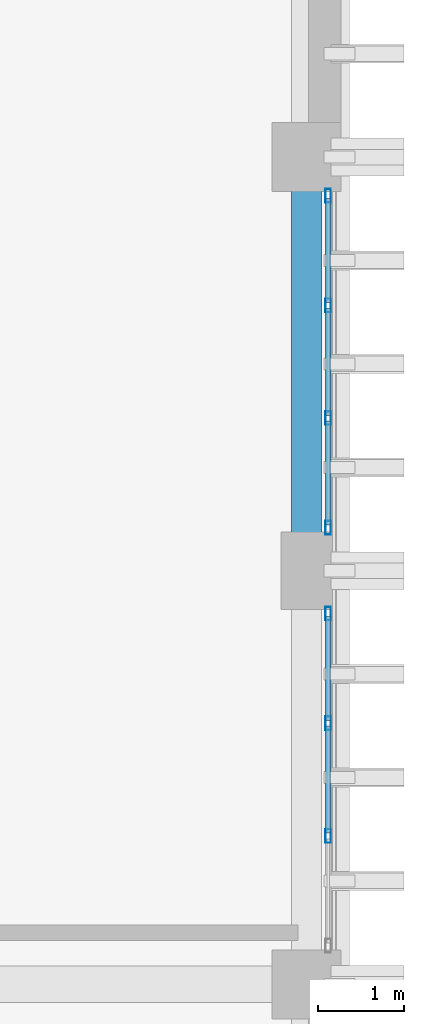
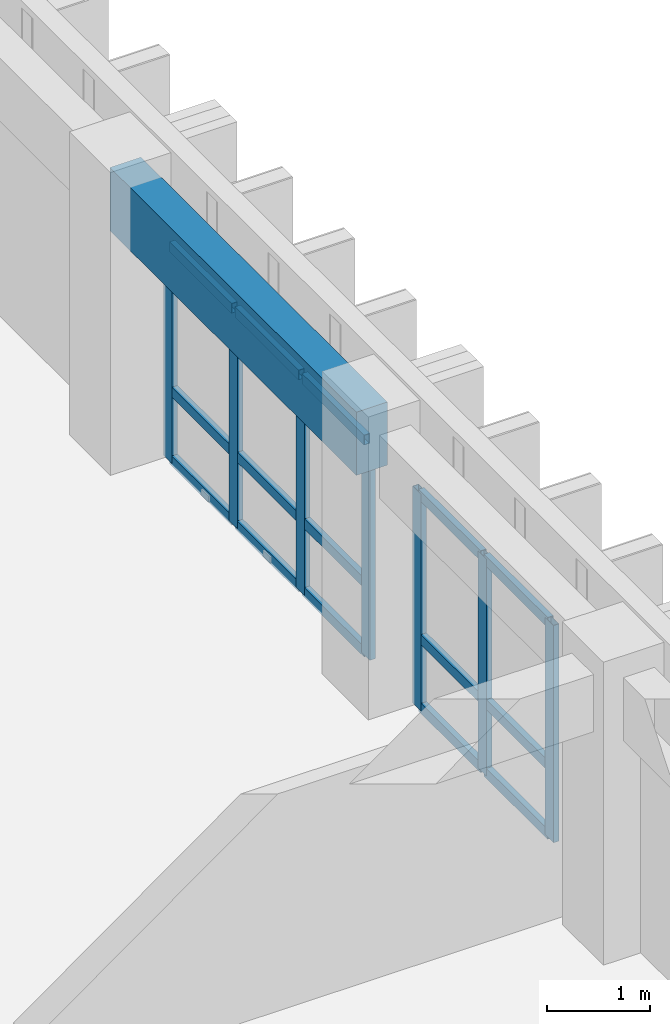
# One storey, part 19 of 82: 22 members, 1 beam, 2 elements without a shape of their own.
"""IFC4 building model written with IfcOpenShell, lengths in metres."""

from ifc_helpers import new_model, si_unit, direction, frame, origin, origin_2d, place, context, subcontext, project, spatial, rectangle, hollow_rectangle, extrude, material, layer, layer_set, material_profile, profile_set, type_object, element, aggregate, save


model = new_model("IFC4")

# Units and contexts
model_context = context("Model", 3, precision=1e-05, world=origin(), true_north=direction((0.0, 1.0)))
body_context = subcontext(model_context, "Body", "Model", "MODEL_VIEW")
ifc_project = project(units=[si_unit("LENGTHUNIT", "METRE"), si_unit("AREAUNIT", "SQUARE_METRE"), si_unit("VOLUMEUNIT", "CUBIC_METRE"), si_unit("PLANEANGLEUNIT", "RADIAN"), si_unit("MASSUNIT", "GRAM", prefix="KILO")], contexts=[model_context])

# Site, building, storey
site_placement = place(None, origin())
site = spatial("IfcSite", under=ifc_project, at=site_placement, CompositionType="ELEMENT")
building_placement = place(site_placement, origin())
building = spatial("IfcBuilding", under=site, at=building_placement, Name="Nakhvara Creek Congress Hotel", CompositionType="ELEMENT")
storey_placement = place(building_placement, frame((0.0, 0.0, 21.0)))
storey = spatial("IfcBuildingStorey", under=building, at=storey_placement, Name="L04", CompositionType="ELEMENT", Elevation=21.0)

# Beam
ifc_material_1 = material(Name="Concrete C40/50", Category="concrete")
ifc_material_profile_1 = material_profile(ifc_material_1, rectangle(XDim=0.35009765625, YDim=0.75, at=origin_2d()), Name="RC-SPANDREL 350x750", Category="LoadBearing")
ifc_profile_set_1 = profile_set([ifc_material_profile_1], Name="Concrete C40/50")
beam_type = type_object("IfcBeamType", Name="BM-SPN-350X750", PredefinedType="SPANDREL", material=ifc_profile_set_1)
beam_placement = place(storey_placement, frame((179.35009765625, 52.800048828125, 2.965087890625), z_axis=(0.0, 1.0, 0.0), x_axis=(-1.0, 0.0, 0.0)))
element("IfcBeam", 1, at=beam_placement, inside=storey, type_object=beam_type, Name="Beam SP1-L04-2014", PredefinedType="SPANDREL", context=body_context, shape_type="SweptSolid", body=[
    extrude(rectangle(XDim=0.35009765625, YDim=0.75, at=origin_2d()), origin(), (0.0, 0.0, 1.0), 4.800048828125),
])

# Curtain wall, members
ifc_material_2 = material(Name="Bronze-anodised aluminium AW-6063-T6 and double-silver low-E glass", Category="aluminium")
ifc_layer = layer(ifc_material_2, 0.199951171875)
ifc_layer_set = layer_set([ifc_layer], Name="Bronze-anodised aluminium AW-6063-T6 and double-silver low-E glass")
curtain_wall_type = type_object("IfcCurtainWallType", Name="CW-HTL-UNIT", PredefinedType="USERDEFINED", material=ifc_layer_set)
curtain_wall_1_placement = place(storey_placement, origin())
curtain_wall_1 = element("IfcCurtainWall", 2, at=curtain_wall_1_placement, inside=storey, type_object=curtain_wall_type, Name="Curtain Wall CW180", ObjectType="UNITISED", PredefinedType="USERDEFINED")
ifc_material_3 = material(Name="Bronze-anodised aluminium AW-6063-T6", Category="aluminium")
ifc_material_profile_2 = material_profile(ifc_material_3, hollow_rectangle(XDim=0.06494140625, YDim=0.159912109375, WallThickness=0.00390625, at=origin_2d()), Name="ALU-MULL 65x160x4", Category="LoadBearing")
ifc_profile_set_2 = profile_set([ifc_material_profile_2], Name="Bronze-anodised aluminium AW-6063-T6")
member_type_1 = type_object("IfcMemberType", Name="CW-MULL-160", PredefinedType="MULLION", material=ifc_profile_set_2)
member_1_placement = place(storey_placement, frame((179.60009765625, 52.302490234375, 0.0), z_axis=(0.0, 0.0, 1.0), x_axis=(1.0, 0.0, 0.0)))
member_1 = element("IfcMember", 3, at=member_1_placement, type_object=member_type_1, Name="CW180 mullion 1", PredefinedType="MULLION", context=body_context, shape_type="SweptSolid", body=[
    extrude(hollow_rectangle(XDim=0.06494140625, YDim=0.159912109375, WallThickness=0.00390625, at=origin_2d()), origin(), (0.0, 0.0, 1.0), 2.58203125),
])
member_2_placement = place(storey_placement, frame((179.60009765625, 51.0283203125, 0.0), z_axis=(0.0, 0.0, 1.0), x_axis=(1.0, 0.0, 0.0)))
member_2 = element("IfcMember", 4, at=member_2_placement, type_object=member_type_1, Name="CW180 mullion 2", PredefinedType="MULLION", context=body_context, shape_type="SweptSolid", body=[
    extrude(hollow_rectangle(XDim=0.06494140625, YDim=0.159912109375, WallThickness=0.00390625, at=origin_2d()), origin(), (0.0, 0.0, 1.0), 2.58203125),
])
member_3_placement = place(storey_placement, frame((179.60009765625, 49.7216796875, 0.0), z_axis=(0.0, 0.0, 1.0), x_axis=(1.0, 0.0, 0.0)))
member_3 = element("IfcMember", 5, at=member_3_placement, type_object=member_type_1, Name="CW180 mullion 3", PredefinedType="MULLION", context=body_context, shape_type="SweptSolid", body=[
    extrude(hollow_rectangle(XDim=0.06494140625, YDim=0.159912109375, WallThickness=0.00390625, at=origin_2d()), origin(), (0.0, 0.0, 1.0), 2.58203125),
])

curtain_wall_2_placement = place(storey_placement, origin())
curtain_wall_2 = element("IfcCurtainWall", 6, at=curtain_wall_2_placement, inside=storey, type_object=curtain_wall_type, Name="Curtain Wall CW182", ObjectType="UNITISED", PredefinedType="USERDEFINED")
member_4_placement = place(storey_placement, frame((179.60009765625, 57.152587890625, 0.0), z_axis=(0.0, 0.0, 1.0), x_axis=(1.0, 0.0, 0.0)))
member_4 = element("IfcMember", 7, at=member_4_placement, type_object=member_type_1, Name="CW182 mullion 1", PredefinedType="MULLION", context=body_context, shape_type="SweptSolid", body=[
    extrude(hollow_rectangle(XDim=0.06494140625, YDim=0.159912109375, WallThickness=0.00390625, at=origin_2d()), origin(), (0.0, 0.0, 1.0), 2.58203125),
])
member_5_placement = place(storey_placement, frame((179.60009765625, 55.87841796875, 0.0), z_axis=(0.0, 0.0, 1.0), x_axis=(1.0, 0.0, 0.0)))
member_5 = element("IfcMember", 8, at=member_5_placement, type_object=member_type_1, Name="CW182 mullion 2", PredefinedType="MULLION", context=body_context, shape_type="SweptSolid", body=[
    extrude(hollow_rectangle(XDim=0.06494140625, YDim=0.159912109375, WallThickness=0.00390625, at=origin_2d()), origin(), (0.0, 0.0, 1.0), 2.58203125),
])
member_6_placement = place(storey_placement, frame((179.60009765625, 54.57177734375, 0.0), z_axis=(0.0, 0.0, 1.0), x_axis=(1.0, 0.0, 0.0)))
member_6 = element("IfcMember", 9, at=member_6_placement, type_object=member_type_1, Name="CW182 mullion 3", PredefinedType="MULLION", context=body_context, shape_type="SweptSolid", body=[
    extrude(hollow_rectangle(XDim=0.06494140625, YDim=0.159912109375, WallThickness=0.00390625, at=origin_2d()), origin(), (0.0, 0.0, 1.0), 2.58203125),
])
member_7_placement = place(storey_placement, frame((179.60009765625, 53.297607421875, 0.0), z_axis=(0.0, 0.0, 1.0), x_axis=(1.0, 0.0, 0.0)))
member_7 = element("IfcMember", 10, at=member_7_placement, type_object=member_type_1, Name="CW182 mullion 4", PredefinedType="MULLION", context=body_context, shape_type="SweptSolid", body=[
    extrude(hollow_rectangle(XDim=0.06494140625, YDim=0.159912109375, WallThickness=0.00390625, at=origin_2d()), origin(), (0.0, 0.0, 1.0), 2.58203125),
])

# Member
ifc_material_profile_3 = material_profile(ifc_material_3, hollow_rectangle(XDim=0.06494140625, YDim=0.1201171875, WallThickness=0.00390625, at=origin_2d()), Name="ALU-TRAN 65x120x4", Category="LoadBearing")
ifc_profile_set_3 = profile_set([ifc_material_profile_3], Name="Bronze-anodised aluminium AW-6063-T6")
member_type_2 = type_object("IfcMemberType", Name="CW-TRAN-120", PredefinedType="USERDEFINED", material=ifc_profile_set_3)
member_8_placement = place(storey_placement, frame((179.60009765625, 52.27001953125, 0.032470703125), z_axis=(0.0, -1.0, 0.0), x_axis=(1.0, 0.0, 0.0)))
member_8 = element("IfcMember", 11, at=member_8_placement, type_object=member_type_2, Name="CW180 transom 1.1", ObjectType="TRANSOM", PredefinedType="USERDEFINED", context=body_context, shape_type="SweptSolid", body=[
    extrude(hollow_rectangle(XDim=0.06494140625, YDim=0.1201171875, WallThickness=0.00390625, at=origin_2d()), origin(), (0.0, 0.0, 1.0), 1.209228515625),
])

member_9_placement = place(storey_placement, frame((179.60009765625, 52.27001953125, 0.85009765625), z_axis=(0.0, -1.0, 0.0), x_axis=(1.0, 0.0, 0.0)))
member_9 = element("IfcMember", 12, at=member_9_placement, type_object=member_type_2, Name="CW180 transom 1.2", ObjectType="TRANSOM", PredefinedType="USERDEFINED", context=body_context, shape_type="SweptSolid", body=[
    extrude(hollow_rectangle(XDim=0.06494140625, YDim=0.1201171875, WallThickness=0.00390625, at=origin_2d()), origin(), (0.0, 0.0, 1.0), 1.209228515625),
])

member_10_placement = place(storey_placement, frame((179.60009765625, 52.27001953125, 2.549560546875), z_axis=(0.0, -1.0, 0.0), x_axis=(1.0, 0.0, 0.0)))
member_10 = element("IfcMember", 13, at=member_10_placement, type_object=member_type_2, Name="CW180 transom 1.3", ObjectType="TRANSOM", PredefinedType="USERDEFINED", context=body_context, shape_type="SweptSolid", body=[
    extrude(hollow_rectangle(XDim=0.06494140625, YDim=0.1201171875, WallThickness=0.00390625, at=origin_2d()), origin(), (0.0, 0.0, 1.0), 1.209228515625),
])

member_11_placement = place(storey_placement, frame((179.60009765625, 50.995849609375, 0.032470703125), z_axis=(0.0, -1.0, 0.0), x_axis=(1.0, 0.0, 0.0)))
member_11 = element("IfcMember", 14, at=member_11_placement, type_object=member_type_2, Name="CW180 transom 2.1", ObjectType="TRANSOM", PredefinedType="USERDEFINED", context=body_context, shape_type="SweptSolid", body=[
    extrude(hollow_rectangle(XDim=0.06494140625, YDim=0.1201171875, WallThickness=0.00390625, at=origin_2d()), origin(), (0.0, 0.0, 1.0), 1.24169921875),
])

member_12_placement = place(storey_placement, frame((179.60009765625, 50.995849609375, 0.85009765625), z_axis=(0.0, -1.0, 0.0), x_axis=(1.0, 0.0, 0.0)))
member_12 = element("IfcMember", 15, at=member_12_placement, type_object=member_type_2, Name="CW180 transom 2.2", ObjectType="TRANSOM", PredefinedType="USERDEFINED", context=body_context, shape_type="SweptSolid", body=[
    extrude(hollow_rectangle(XDim=0.06494140625, YDim=0.1201171875, WallThickness=0.00390625, at=origin_2d()), origin(), (0.0, 0.0, 1.0), 1.24169921875),
])

member_13_placement = place(storey_placement, frame((179.60009765625, 50.995849609375, 2.549560546875), z_axis=(0.0, -1.0, 0.0), x_axis=(1.0, 0.0, 0.0)))
member_13 = element("IfcMember", 16, at=member_13_placement, type_object=member_type_2, Name="CW180 transom 2.3", ObjectType="TRANSOM", PredefinedType="USERDEFINED", context=body_context, shape_type="SweptSolid", body=[
    extrude(hollow_rectangle(XDim=0.06494140625, YDim=0.1201171875, WallThickness=0.00390625, at=origin_2d()), origin(), (0.0, 0.0, 1.0), 1.24169921875),
])

aggregate(curtain_wall_1, [member_1, member_2, member_3, member_8, member_9, member_10, member_11, member_12, member_13])

member_14_placement = place(storey_placement, frame((179.60009765625, 57.1201171875, 0.032470703125), z_axis=(0.0, -1.0, 0.0), x_axis=(1.0, 0.0, 0.0)))
member_14 = element("IfcMember", 17, at=member_14_placement, type_object=member_type_2, Name="CW182 transom 1.1", ObjectType="TRANSOM", PredefinedType="USERDEFINED", context=body_context, shape_type="SweptSolid", body=[
    extrude(hollow_rectangle(XDim=0.06494140625, YDim=0.1201171875, WallThickness=0.00390625, at=origin_2d()), origin(), (0.0, 0.0, 1.0), 1.209228515625),
])

member_15_placement = place(storey_placement, frame((179.60009765625, 57.1201171875, 0.85009765625), z_axis=(0.0, -1.0, 0.0), x_axis=(1.0, 0.0, 0.0)))
member_15 = element("IfcMember", 18, at=member_15_placement, type_object=member_type_2, Name="CW182 transom 1.2", ObjectType="TRANSOM", PredefinedType="USERDEFINED", context=body_context, shape_type="SweptSolid", body=[
    extrude(hollow_rectangle(XDim=0.06494140625, YDim=0.1201171875, WallThickness=0.00390625, at=origin_2d()), origin(), (0.0, 0.0, 1.0), 1.209228515625),
])

member_16_placement = place(storey_placement, frame((179.60009765625, 57.1201171875, 2.549560546875), z_axis=(0.0, -1.0, 0.0), x_axis=(1.0, 0.0, 0.0)))
member_16 = element("IfcMember", 19, at=member_16_placement, type_object=member_type_2, Name="CW182 transom 1.3", ObjectType="TRANSOM", PredefinedType="USERDEFINED", context=body_context, shape_type="SweptSolid", body=[
    extrude(hollow_rectangle(XDim=0.06494140625, YDim=0.1201171875, WallThickness=0.00390625, at=origin_2d()), origin(), (0.0, 0.0, 1.0), 1.209228515625),
])

member_17_placement = place(storey_placement, frame((179.60009765625, 55.845947265625, 0.032470703125), z_axis=(0.0, -1.0, 0.0), x_axis=(1.0, 0.0, 0.0)))
member_17 = element("IfcMember", 20, at=member_17_placement, type_object=member_type_2, Name="CW182 transom 2.1", ObjectType="TRANSOM", PredefinedType="USERDEFINED", context=body_context, shape_type="SweptSolid", body=[
    extrude(hollow_rectangle(XDim=0.06494140625, YDim=0.1201171875, WallThickness=0.00390625, at=origin_2d()), origin(), (0.0, 0.0, 1.0), 1.24169921875),
])

member_18_placement = place(storey_placement, frame((179.60009765625, 55.845947265625, 0.85009765625), z_axis=(0.0, -1.0, 0.0), x_axis=(1.0, 0.0, 0.0)))
member_18 = element("IfcMember", 21, at=member_18_placement, type_object=member_type_2, Name="CW182 transom 2.2", ObjectType="TRANSOM", PredefinedType="USERDEFINED", context=body_context, shape_type="SweptSolid", body=[
    extrude(hollow_rectangle(XDim=0.06494140625, YDim=0.1201171875, WallThickness=0.00390625, at=origin_2d()), origin(), (0.0, 0.0, 1.0), 1.24169921875),
])

member_19_placement = place(storey_placement, frame((179.60009765625, 55.845947265625, 2.549560546875), z_axis=(0.0, -1.0, 0.0), x_axis=(1.0, 0.0, 0.0)))
member_19 = element("IfcMember", 22, at=member_19_placement, type_object=member_type_2, Name="CW182 transom 2.3", ObjectType="TRANSOM", PredefinedType="USERDEFINED", context=body_context, shape_type="SweptSolid", body=[
    extrude(hollow_rectangle(XDim=0.06494140625, YDim=0.1201171875, WallThickness=0.00390625, at=origin_2d()), origin(), (0.0, 0.0, 1.0), 1.24169921875),
])

member_20_placement = place(storey_placement, frame((179.60009765625, 54.5390625, 0.032470703125), z_axis=(0.0, -1.0, 0.0), x_axis=(1.0, 0.0, 0.0)))
member_20 = element("IfcMember", 23, at=member_20_placement, type_object=member_type_2, Name="CW182 transom 3.1", ObjectType="TRANSOM", PredefinedType="USERDEFINED", context=body_context, shape_type="SweptSolid", body=[
    extrude(hollow_rectangle(XDim=0.06494140625, YDim=0.1201171875, WallThickness=0.00390625, at=origin_2d()), origin(), (0.0, 0.0, 1.0), 1.208984375),
])

member_21_placement = place(storey_placement, frame((179.60009765625, 54.5390625, 0.85009765625), z_axis=(0.0, -1.0, 0.0), x_axis=(1.0, 0.0, 0.0)))
member_21 = element("IfcMember", 24, at=member_21_placement, type_object=member_type_2, Name="CW182 transom 3.2", ObjectType="TRANSOM", PredefinedType="USERDEFINED", context=body_context, shape_type="SweptSolid", body=[
    extrude(hollow_rectangle(XDim=0.06494140625, YDim=0.1201171875, WallThickness=0.00390625, at=origin_2d()), origin(), (0.0, 0.0, 1.0), 1.208984375),
])

member_22_placement = place(storey_placement, frame((179.60009765625, 54.5390625, 2.549560546875), z_axis=(0.0, -1.0, 0.0), x_axis=(1.0, 0.0, 0.0)))
member_22 = element("IfcMember", 25, at=member_22_placement, type_object=member_type_2, Name="CW182 transom 3.3", ObjectType="TRANSOM", PredefinedType="USERDEFINED", context=body_context, shape_type="SweptSolid", body=[
    extrude(hollow_rectangle(XDim=0.06494140625, YDim=0.1201171875, WallThickness=0.00390625, at=origin_2d()), origin(), (0.0, 0.0, 1.0), 1.208984375),
])

aggregate(curtain_wall_2, [member_4, member_5, member_6, member_7, member_14, member_15, member_16, member_17, member_18, member_19, member_20, member_21, member_22])

save(model, "model.ifc")
